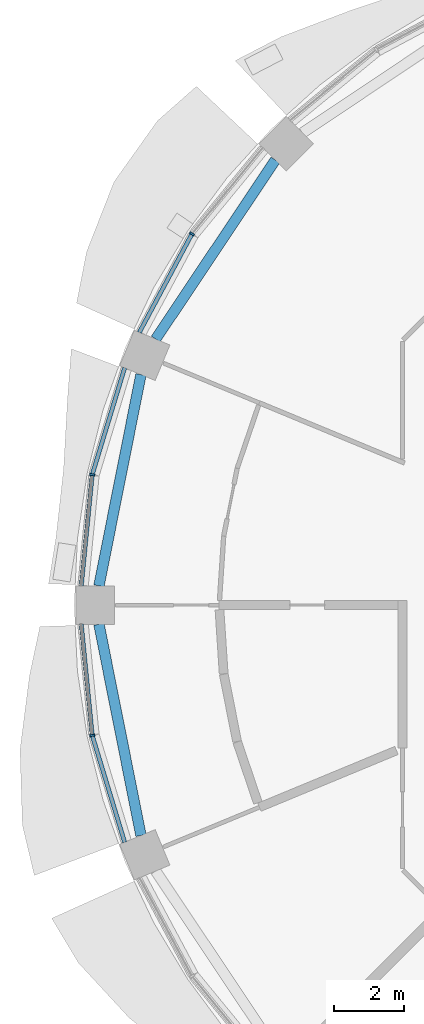
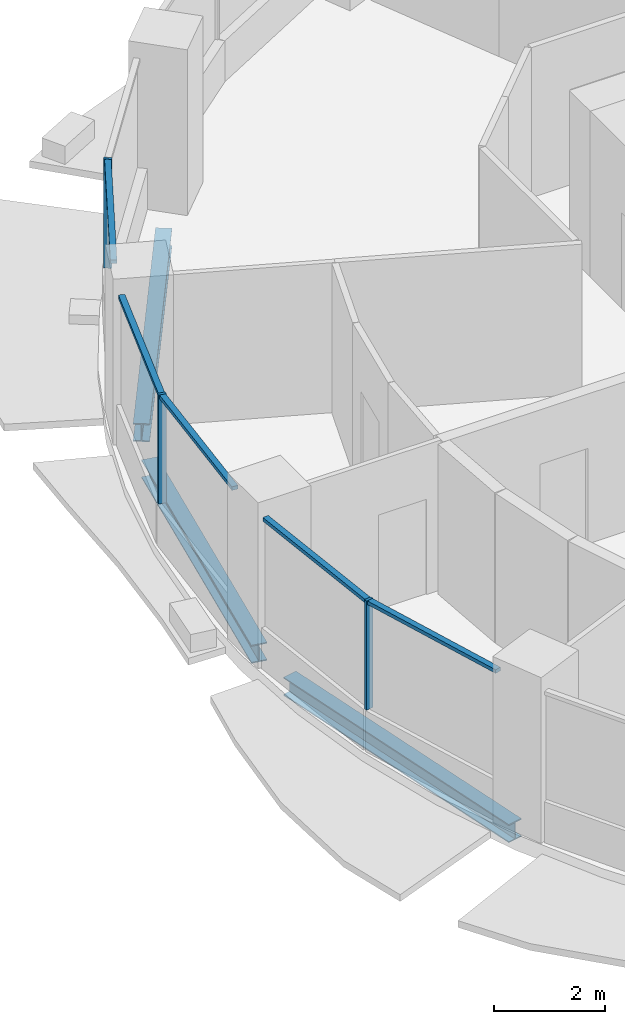
# One storey, part 3 of 14: 8 members, 3 beams, 3 elements without a shape of their own.
"""IFC4 building model written with IfcOpenShell, lengths in metres."""

from ifc_helpers import new_model, si_unit, direction, frame, origin, origin_2d, place, context, subcontext, project, spatial, rectangle, i_section, extrude, material, material_profile, profile_set, type_object, element, aggregate, save


model = new_model("IFC4")

# Units and contexts
model_context = context("Model", 3, precision=1e-05, world=origin(), true_north=direction((0.0, 1.0)))
body_context = subcontext(model_context, "Body", "Model", "MODEL_VIEW")
ifc_project = project(units=[si_unit("LENGTHUNIT", "METRE"), si_unit("AREAUNIT", "SQUARE_METRE"), si_unit("VOLUMEUNIT", "CUBIC_METRE"), si_unit("PLANEANGLEUNIT", "RADIAN"), si_unit("MASSUNIT", "GRAM", prefix="KILO")], contexts=[model_context])

# Site, building, storey
site_placement = place(None, origin())
site = spatial("IfcSite", under=ifc_project, at=site_placement, CompositionType="ELEMENT")
building_placement = place(site_placement, origin())
building = spatial("IfcBuilding", under=site, at=building_placement, Name="Polderwave Tower", CompositionType="ELEMENT")
storey_placement = place(building_placement, frame((0.0, 0.0, 98.300048828125)))
storey = spatial("IfcBuildingStorey", under=building, at=storey_placement, Name="L25", CompositionType="ELEMENT", Elevation=98.300048828125)

# Curtain wall, member
ifc_material_1 = material(Name="Aluminium 6063-T6 and glass", Category="aluminium")
curtain_wall_type = type_object("IfcCurtainWallType", Name="Growing floor ribbon glazing wall", PredefinedType="NOTDEFINED", material=ifc_material_1)
curtain_wall_1_placement = place(storey_placement, origin())
curtain_wall_1 = element("IfcCurtainWall", 1, at=curtain_wall_1_placement, inside=storey, type_object=curtain_wall_type, Name="CW2 L25 06", PredefinedType="NOTDEFINED")
ifc_material_2 = material(Name="Aluminium 6063-T6", Category="aluminium")
ifc_material_profile_1 = material_profile(ifc_material_2, rectangle(XDim=0.14990234375, YDim=0.06005859375, at=origin_2d()), Name="AL 60x150")
ifc_profile_set_1 = profile_set([ifc_material_profile_1], Name="Aluminium 6063-T6")
member_type_1 = type_object("IfcMemberType", Name="Growing floor ribbon glazing mullion 60x150", PredefinedType="MULLION", material=ifc_profile_set_1)
member_1_placement = place(storey_placement, frame((-15.89794921875, 10.623046875, 0.89990234375), z_axis=(0.0, 0.0, 1.0), x_axis=(0.831467672992, -0.555573135393, 0.0)))
member_1 = element("IfcMember", 2, at=member_1_placement, type_object=member_type_1, Name="CW2 mullion 1", PredefinedType="MULLION", context=body_context, shape_type="SweptSolid", body=[
    extrude(rectangle(XDim=0.14990234375, YDim=0.06005859375, at=origin_2d()), origin(), (0.0, 0.0, 1.0), 2.400146484375),
])

curtain_wall_2_placement = place(storey_placement, origin())
curtain_wall_2 = element("IfcCurtainWall", 3, at=curtain_wall_2_placement, inside=storey, type_object=curtain_wall_type, Name="CW2 L25 07", PredefinedType="NOTDEFINED")
member_2_placement = place(storey_placement, frame((-18.7529296875, 3.72998046875, 0.89990234375), z_axis=(0.0, 0.0, 1.0), x_axis=(0.980780853692, -0.195112575278, 0.0)))
member_2 = element("IfcMember", 4, at=member_2_placement, type_object=member_type_1, Name="CW2 mullion 1", PredefinedType="MULLION", context=body_context, shape_type="SweptSolid", body=[
    extrude(rectangle(XDim=0.14990234375, YDim=0.06005859375, at=origin_2d()), origin(), (0.0, 0.0, 1.0), 2.400146484375),
])

curtain_wall_3_placement = place(storey_placement, origin())
curtain_wall_3 = element("IfcCurtainWall", 5, at=curtain_wall_3_placement, inside=storey, type_object=curtain_wall_type, Name="CW2 L25 08", PredefinedType="NOTDEFINED")
member_3_placement = place(storey_placement, frame((-18.7529296875, -3.72998046875, 0.89990234375), z_axis=(0.0, 0.0, 1.0), x_axis=(0.980780853692, 0.195112575278, 0.0)))
member_3 = element("IfcMember", 6, at=member_3_placement, type_object=member_type_1, Name="CW2 mullion 1", PredefinedType="MULLION", context=body_context, shape_type="SweptSolid", body=[
    extrude(rectangle(XDim=0.14990234375, YDim=0.06005859375, at=origin_2d()), origin(), (0.0, 0.0, 1.0), 2.400146484375),
])

# Member
ifc_material_profile_2 = material_profile(ifc_material_2, rectangle(XDim=0.1201171875, YDim=0.080078125, at=origin_2d()), Name="AL 80x120")
ifc_profile_set_2 = profile_set([ifc_material_profile_2], Name="Aluminium 6063-T6")
member_type_2 = type_object("IfcMemberType", Name="Growing floor ribbon glazing transom 80x120", PredefinedType="USERDEFINED", material=ifc_profile_set_2)
member_4_placement = place(storey_placement, frame((-15.912109375, 10.596435546875, 3.260009765625), z_axis=(-0.471232490074, -0.882009036404, 0.0), x_axis=(0.882009036404, -0.471232490074, 0.0)))
member_4 = element("IfcMember", 7, at=member_4_placement, type_object=member_type_2, Name="CW2 transom 2", ObjectType="TRANSOM", PredefinedType="USERDEFINED", context=body_context, shape_type="SweptSolid", body=[
    extrude(rectangle(XDim=0.1201171875, YDim=0.080078125, at=origin_2d()), origin(), (0.0, 0.0, 1.0), 3.166015625),
])

aggregate(curtain_wall_1, [member_1, member_4])

member_5_placement = place(storey_placement, frame((-17.824951171875, 6.7880859375, 3.260009765625), z_axis=(-0.290431166093, -0.956895886584, 0.0), x_axis=(0.956895886584, -0.290431166093, 0.0)))
member_5 = element("IfcMember", 8, at=member_5_placement, type_object=member_type_2, Name="CW2 transom 1", ObjectType="TRANSOM", PredefinedType="USERDEFINED", context=body_context, shape_type="SweptSolid", body=[
    extrude(rectangle(XDim=0.1201171875, YDim=0.080078125, at=origin_2d()), origin(), (0.0, 0.0, 1.0), 3.165771484375),
])

member_6_placement = place(storey_placement, frame((-18.755859375, 3.7001953125, 3.260009765625), z_axis=(-0.097953388713, -0.995191003597, 0.0), x_axis=(0.995191003597, -0.097953388713, 0.0)))
member_6 = element("IfcMember", 9, at=member_6_placement, type_object=member_type_2, Name="CW2 transom 2", ObjectType="TRANSOM", PredefinedType="USERDEFINED", context=body_context, shape_type="SweptSolid", body=[
    extrude(rectangle(XDim=0.1201171875, YDim=0.080078125, at=origin_2d()), origin(), (0.0, 0.0, 1.0), 3.165283203125),
])

aggregate(curtain_wall_2, [member_2, member_5, member_6])

member_7_placement = place(storey_placement, frame((-19.06591796875, -0.550048828125, 3.260009765625), z_axis=(0.097953388713, -0.995191003597, 0.0), x_axis=(0.995191003597, 0.097953388713, 0.0)))
member_7 = element("IfcMember", 10, at=member_7_placement, type_object=member_type_2, Name="CW2 transom 1", ObjectType="TRANSOM", PredefinedType="USERDEFINED", context=body_context, shape_type="SweptSolid", body=[
    extrude(rectangle(XDim=0.1201171875, YDim=0.080078125, at=origin_2d()), origin(), (0.0, 0.0, 1.0), 3.165283203125),
])

member_8_placement = place(storey_placement, frame((-18.744384765625, -3.7587890625, 3.260009765625), z_axis=(0.290431166093, -0.956895886584, 0.0), x_axis=(0.956895886584, 0.290431166093, 0.0)))
member_8 = element("IfcMember", 11, at=member_8_placement, type_object=member_type_2, Name="CW2 transom 2", ObjectType="TRANSOM", PredefinedType="USERDEFINED", context=body_context, shape_type="SweptSolid", body=[
    extrude(rectangle(XDim=0.1201171875, YDim=0.080078125, at=origin_2d()), origin(), (0.0, 0.0, 1.0), 3.165771484375),
])

aggregate(curtain_wall_3, [member_3, member_7, member_8])

# Beams
ifc_material_3 = material(Name="Steel S355", Category="steel")
ifc_material_profile_3 = material_profile(ifc_material_3, i_section(OverallWidth=0.300048828125, OverallDepth=0.39990234375, WebThickness=0.013427734375, FlangeThickness=0.02392578125, at=origin_2d()), Name="HE 400 B")
ifc_profile_set_3 = profile_set([ifc_material_profile_3], Name="Steel S355")
beam_type = type_object("IfcBeamType", Name="RING BEAM HE 400 B", PredefinedType="BEAM", material=ifc_profile_set_3)
for number, where, z_axis, x_axis, name in (
    (12, (-13.51318359375, 12.7353515625, -0.550048828125), (-0.555586625808, -0.831458658758, 0.0), (0.831458658758, -0.555586625808, 0.0), "ST-RB-L25-06"),
    (13, (-17.358154296875, 6.5947265625, -0.550048828125), (-0.195095226048, -0.980784304918, 0.0), (0.980784304918, -0.195095226048, 0.0), "ST-RB-L25-07"),
    (14, (-18.560546875, -0.550048828125, -0.550048828125), (0.195095226048, -0.980784304918, 0.0), (0.980784304918, 0.195095226048, 0.0), "ST-RB-L25-08"),
):
    element("IfcBeam", number, at=place(storey_placement, frame(where, z_axis=z_axis, x_axis=x_axis)), inside=storey, type_object=beam_type, Name=name, PredefinedType="BEAM", context=body_context, shape_type="SweptSolid", body=[
        extrude(i_section(OverallWidth=0.300048828125, OverallDepth=0.39990234375, WebThickness=0.013427734375, FlangeThickness=0.02392578125, at=origin_2d()), origin(), (0.0, 0.0, 1.0), 6.1630859375),
    ])

save(model, "model.ifc")
